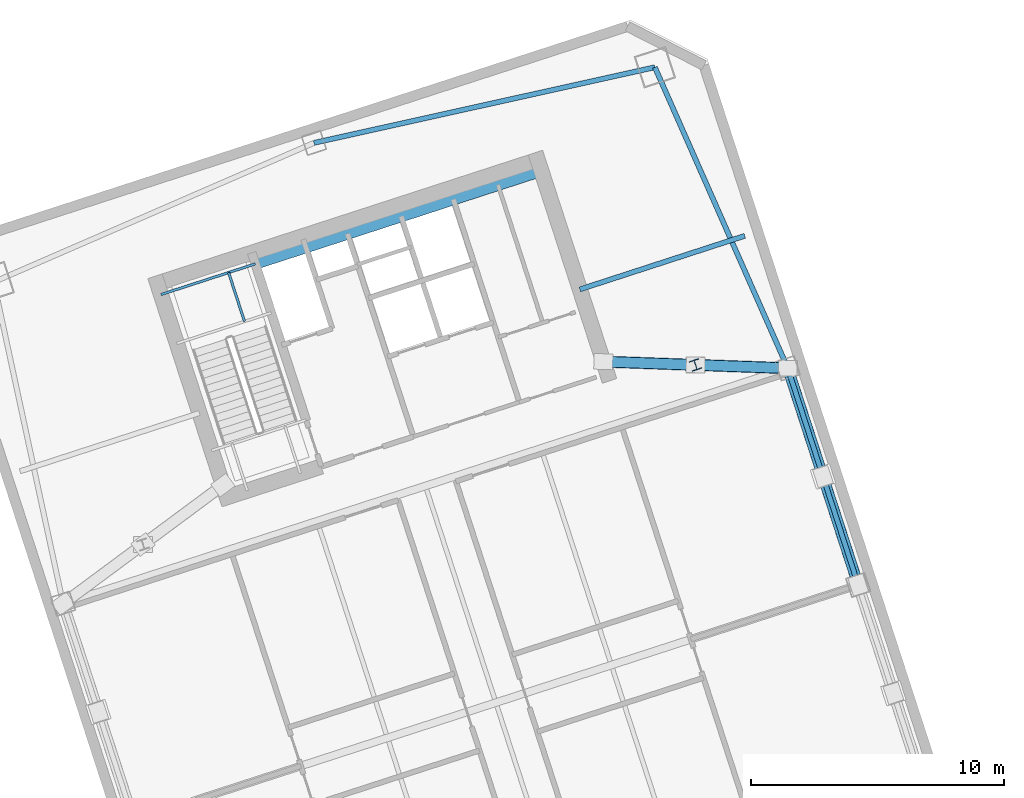
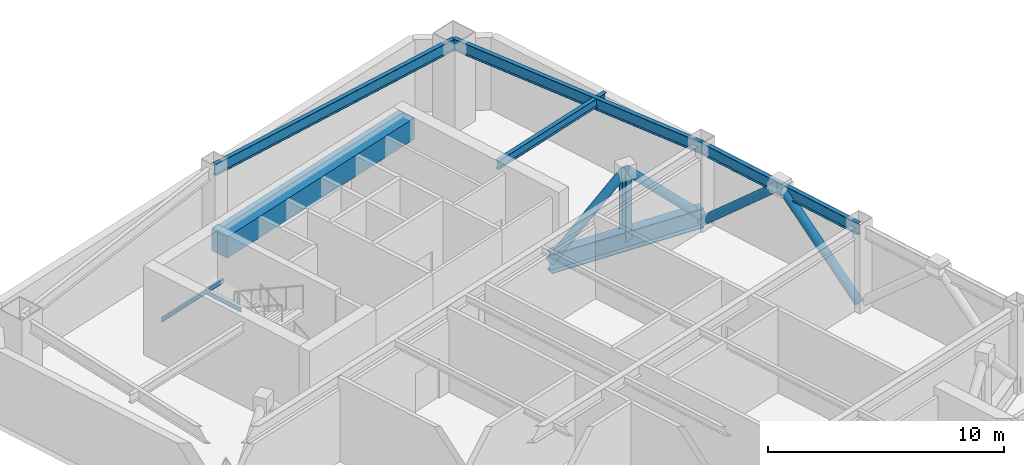
# One storey, part 8 of 17: 8 beams, 5 members.
"""IFC4 building model written with IfcOpenShell, lengths in metres."""

from ifc_helpers import new_model, si_unit, direction, frame, origin, origin_2d, place, context, subcontext, project, spatial, rectangle, hollow_circle, i_section, extrude, material, material_profile, profile_set, type_object, element, save


model = new_model("IFC4")

# Units and contexts
model_context = context("Model", 3, precision=1e-05, world=origin(), true_north=direction((0.0, 1.0)))
body_context = subcontext(model_context, "Body", "Model", "MODEL_VIEW")
ifc_project = project(units=[si_unit("LENGTHUNIT", "METRE"), si_unit("AREAUNIT", "SQUARE_METRE"), si_unit("VOLUMEUNIT", "CUBIC_METRE"), si_unit("PLANEANGLEUNIT", "RADIAN"), si_unit("MASSUNIT", "GRAM", prefix="KILO")], contexts=[model_context])

# Site, building, storey
site_placement = place(None, origin())
site = spatial("IfcSite", under=ifc_project, at=site_placement, CompositionType="ELEMENT")
building_placement = place(site_placement, origin())
building = spatial("IfcBuilding", under=site, at=building_placement, Name="Qiaolan Cultural Towers", CompositionType="ELEMENT")
storey_placement = place(building_placement, frame((0.0, 0.0, 184.0)))
storey = spatial("IfcBuildingStorey", under=building, at=storey_placement, Name="L49", CompositionType="ELEMENT", Elevation=184.0)

# Beams
ifc_material_1 = material(Name="Steel Q390GJB", Category="steel")
ifc_material_profile_1 = material_profile(ifc_material_1, i_section(OverallWidth=0.449951171875, OverallDepth=1.0, WebThickness=0.02392578125, FlangeThickness=0.0400390625, at=origin_2d()), Name="BH1000x450x24x40")
ifc_profile_set_1 = profile_set([ifc_material_profile_1], Name="Steel Q390GJB")
beam_type_1 = type_object("IfcBeamType", Name="BM-BH1000x450x24x40", PredefinedType="BEAM", material=ifc_profile_set_1)
beam_1_placement = place(storey_placement, frame((94.244873046875, 47.47119140625, 0.5), z_axis=(0.999359309456, -0.035790649664, 0.0), x_axis=(0.035790649664, 0.999359309456, 0.0)))
element("IfcBeam", 1, at=beam_1_placement, inside=storey, type_object=beam_type_1, Name="L49 T2 Outrigger Bottom Chord Girder EN", PredefinedType="BEAM", context=body_context, shape_type="SweptSolid", body=[
    extrude(i_section(OverallWidth=0.449951171875, OverallDepth=1.0, WebThickness=0.02392578125, FlangeThickness=0.0400390625, at=origin_2d()), origin(), (0.0, 0.0, 1.0), 7.2919921875),
])
ifc_material_2 = material(Name="Steel Q355B", Category="steel")
ifc_material_profile_2 = material_profile(ifc_material_2, i_section(OverallWidth=0.199951171875, OverallDepth=0.449951171875, WebThickness=0.009033203125, FlangeThickness=0.013916015625, at=origin_2d()), Name="HN450x200x9x14")
ifc_profile_set_2 = profile_set([ifc_material_profile_2], Name="Steel Q355B")
beam_type_2 = type_object("IfcBeamType", Name="BM-LNT-HN450x200x9x14", PredefinedType="LINTEL", material=ifc_profile_set_2)
beam_2_placement = place(storey_placement, frame((93.31787109375, 50.32421875, 4.114990234375), z_axis=(0.951061565824, 0.30900145309, 0.0), x_axis=(-0.30900145309, 0.951061565824, 0.0)))
element("IfcBeam", 2, at=beam_2_placement, inside=storey, type_object=beam_type_2, Name="L49 T2 Core Flank Tie Lintel EN", PredefinedType="LINTEL", context=body_context, shape_type="SweptSolid", body=[
    extrude(i_section(OverallWidth=0.199951171875, OverallDepth=0.449951171875, WebThickness=0.009033203125, FlangeThickness=0.013916015625, at=origin_2d()), origin(), (0.0, 0.0, 1.0), 6.85009765625),
])
ifc_material_3 = material(Name="Concrete C50", Category="concrete")
ifc_material_profile_3 = material_profile(ifc_material_3, rectangle(XDim=0.89990234375, YDim=1.10009765625, at=origin_2d()), Name="RC900x1100")
ifc_profile_set_3 = profile_set([ifc_material_profile_3], Name="Concrete C50")
beam_type_3 = type_object("IfcBeamType", Name="BM-RC900x1100", PredefinedType="BEAM", material=ifc_profile_set_3)
beam_3_placement = place(storey_placement, frame((80.427978515625, 51.551025390625, 3.7900390625), z_axis=(0.951056266386, 0.309017763514, 0.0), x_axis=(-0.309017763514, 0.951056266386, 0.0)))
element("IfcBeam", 3, at=beam_3_placement, inside=storey, type_object=beam_type_3, Name="L49 T2 Core Header Girder N", PredefinedType="BEAM", context=body_context, shape_type="SweptSolid", body=[
    extrude(rectangle(XDim=0.89990234375, YDim=1.10009765625, at=origin_2d()), origin(), (0.0, 0.0, 1.0), 11.880126953125),
])
ifc_material_4 = material(Name="Steel Q355B", Category="steel")
ifc_material_profile_4 = material_profile(ifc_material_4, i_section(OverallWidth=0.199951171875, OverallDepth=0.60009765625, WebThickness=0.010986328125, FlangeThickness=0.01708984375, at=origin_2d()), Name="HN600x200x11x17")
ifc_profile_set_4 = profile_set([ifc_material_profile_4], Name="Steel Q355B")
beam_type_4 = type_object("IfcBeamType", Name="BM-SPD-HN600x200x11x17", PredefinedType="SPANDREL", material=ifc_profile_set_4)
beam_4_placement = place(storey_placement, frame((104.3134765625, 38.650634765625, 4.0400390625), z_axis=(-0.309024734286, 0.951054001411, 0.0), x_axis=(-0.951054001411, -0.309024734286, 0.0)))
element("IfcBeam", 4, at=beam_4_placement, inside=storey, type_object=beam_type_4, Name="L49 T2 Perimeter Spandrel Beam 5", PredefinedType="SPANDREL", context=body_context, shape_type="SweptSolid", body=[
    extrude(i_section(OverallWidth=0.199951171875, OverallDepth=0.60009765625, WebThickness=0.010986328125, FlangeThickness=0.01708984375, at=origin_2d()), origin(), (0.0, 0.0, 1.0), 9.0),
])
beam_5_placement = place(storey_placement, frame((101.5322265625, 47.210205078125, 4.0400390625), z_axis=(-0.404011070002, 0.914754095545, 0.0), x_axis=(-0.914754095545, -0.404011070002, 0.0)))
element("IfcBeam", 5, at=beam_5_placement, inside=storey, type_object=beam_type_4, Name="L49 T2 Perimeter Spandrel Beam 6", PredefinedType="SPANDREL", context=body_context, shape_type="SweptSolid", body=[
    extrude(i_section(OverallWidth=0.199951171875, OverallDepth=0.60009765625, WebThickness=0.010986328125, FlangeThickness=0.01708984375, at=origin_2d()), origin(), (0.0, 0.0, 1.0), 12.9970703125),
])
beam_6_placement = place(storey_placement, frame((96.28125, 59.099365234375, 4.0400390625), z_axis=(-0.976265293399, -0.216578108094, 0.0), x_axis=(0.216578108094, -0.976265293399, 0.0)))
element("IfcBeam", 6, at=beam_6_placement, inside=storey, type_object=beam_type_4, Name="L49 T2 Perimeter Spandrel Beam 7", PredefinedType="SPANDREL", context=body_context, shape_type="SweptSolid", body=[
    extrude(i_section(OverallWidth=0.199951171875, OverallDepth=0.60009765625, WebThickness=0.010986328125, FlangeThickness=0.01708984375, at=origin_2d()), origin(), (0.0, 0.0, 1.0), 13.793212890625),
])
ifc_material_5 = material(Name="Steel Q355B", Category="steel")
ifc_material_profile_5 = material_profile(ifc_material_5, i_section(OverallWidth=0.10009765625, OverallDepth=0.199951171875, WebThickness=0.005615234375, FlangeThickness=0.008056640625, at=origin_2d()), Name="HN200x100x5.5x8")
ifc_profile_set_5 = profile_set([ifc_material_profile_5], Name="Steel Q355B")
beam_type_5 = type_object("IfcBeamType", Name="BM-STTRIM-200", PredefinedType="BEAM", material=ifc_profile_set_5)
beam_7_placement = place(storey_placement, frame((76.770751953125, 50.12109375, 2.0), z_axis=(0.951072048947, 0.3089691857, 0.0), x_axis=(-0.3089691857, 0.951072048947, 0.0)))
element("IfcBeam", 7, at=beam_7_placement, inside=storey, type_object=beam_type_5, Name="L49 ST-E2 Stair Landing Support Beam 1-2", PredefinedType="BEAM", context=body_context, shape_type="SweptSolid", body=[
    extrude(i_section(OverallWidth=0.10009765625, OverallDepth=0.199951171875, WebThickness=0.005615234375, FlangeThickness=0.008056640625, at=origin_2d()), origin(), (0.0, 0.0, 1.0), 3.920166015625),
])
beam_8_placement = place(storey_placement, frame((80.071044921875, 49.057373046875, 2.0), z_axis=(-0.309007258476, 0.951059679626, 0.0), x_axis=(-0.951059679626, -0.309007258476, 0.0)))
element("IfcBeam", 8, at=beam_8_placement, inside=storey, type_object=beam_type_5, Name="L49 ST-E2 Stair Landing Trimmer 1", PredefinedType="BEAM", context=body_context, shape_type="SweptSolid", body=[
    extrude(i_section(OverallWidth=0.10009765625, OverallDepth=0.199951171875, WebThickness=0.005615234375, FlangeThickness=0.008056640625, at=origin_2d()), origin(), (0.0, 0.0, 1.0), 2.03125),
])

# Members
ifc_material_6 = material(Name="Steel Q355B", Category="steel")
ifc_material_profile_6 = material_profile(ifc_material_6, hollow_circle(Radius=0.212890625, WallThickness=0.02001953125, at=origin_2d()), Name="CHS426x20")
ifc_profile_set_6 = profile_set([ifc_material_profile_6], Name="Steel Q355B")
member_type_1 = type_object("IfcMemberType", Name="MBR-BRC-CHS426x20", PredefinedType="BRACE", material=ifc_profile_set_6)
member_1_placement = place(storey_placement, frame((94.244873046875, 47.47119140625, 0.5), z_axis=(0.713083242942, -0.025561107871, 0.700613244522), x_axis=(0.035822888615, 0.999358154343, 0.0)))
element("IfcMember", 9, at=member_1_placement, inside=storey, type_object=member_type_1, Name="L49 T2 Outrigger Truss Diagonal EN-1", PredefinedType="BRACE", context=body_context, shape_type="SweptSolid", body=[
    extrude(hollow_circle(Radius=0.212890625, WallThickness=0.02001953125, at=origin_2d()), origin(), (0.0, 0.0, 1.0), 5.10986328125),
])
member_2_placement = place(storey_placement, frame((97.888671875, 47.340576171875, 4.080078125), z_axis=(0.713060628453, -0.025514230474, -0.700637969421), x_axis=(0.035758408441, 0.99936046361, 0.0)))
element("IfcMember", 10, at=member_2_placement, inside=storey, type_object=member_type_1, Name="L49 T2 Outrigger Truss Diagonal EN-2", PredefinedType="BRACE", context=body_context, shape_type="SweptSolid", body=[
    extrude(hollow_circle(Radius=0.212890625, WallThickness=0.02001953125, at=origin_2d()), origin(), (0.0, 0.0, 1.0), 5.109619140625),
])
for number, where, z_axis, x_axis, name in (
    (11, (104.3134765625, 38.650634765625, 0.199951171875), (-0.231479598497, 0.712401222199, 0.662496561568), (-0.951054001411, -0.309024734286, 0.0), "L49 T2 Perimeter Belt Truss E2-A"),
    (12, (102.9228515625, 42.930419921875, 4.179931640625), (-0.231479598497, 0.712401222199, -0.662496561568), (-0.951054001411, -0.309024734286, 0.0), "L49 T2 Perimeter Belt Truss E2-B"),
):
    element("IfcMember", number, at=place(storey_placement, frame(where, z_axis=z_axis, x_axis=x_axis)), inside=storey, type_object=member_type_1, Name=name, PredefinedType="BRACE", context=body_context, shape_type="SweptSolid", body=[
        extrude(hollow_circle(Radius=0.212890625, WallThickness=0.02001953125, at=origin_2d()), origin(), (0.0, 0.0, 1.0), 6.007568359375),
    ])
ifc_material_7 = material(Name="Steel Q355B", Category="steel")
ifc_material_profile_7 = material_profile(ifc_material_7, i_section(OverallWidth=0.39990234375, OverallDepth=0.39990234375, WebThickness=0.012939453125, FlangeThickness=0.02099609375, at=origin_2d()), Name="HW400x400x13x21")
ifc_profile_set_7 = profile_set([ifc_material_profile_7], Name="Steel Q355B")
member_type_2 = type_object("IfcMemberType", Name="MBR-POST-HW400x400x13x21", PredefinedType="STUD", material=ifc_profile_set_7)
member_3_placement = place(storey_placement, frame((97.888671875, 47.340576171875, 0.5), z_axis=(0.0, 0.0, 1.0), x_axis=(0.951056516295, 0.309016994375, 0.0)))
element("IfcMember", 13, at=member_3_placement, inside=storey, type_object=member_type_2, Name="L49 T2 Outrigger King Web EN", PredefinedType="STUD", context=body_context, shape_type="SweptSolid", body=[
    extrude(i_section(OverallWidth=0.39990234375, OverallDepth=0.39990234375, WebThickness=0.012939453125, FlangeThickness=0.02099609375, at=origin_2d()), origin(), (0.0, 0.0, 1.0), 3.580078125),
])

save(model, "model.ifc")
